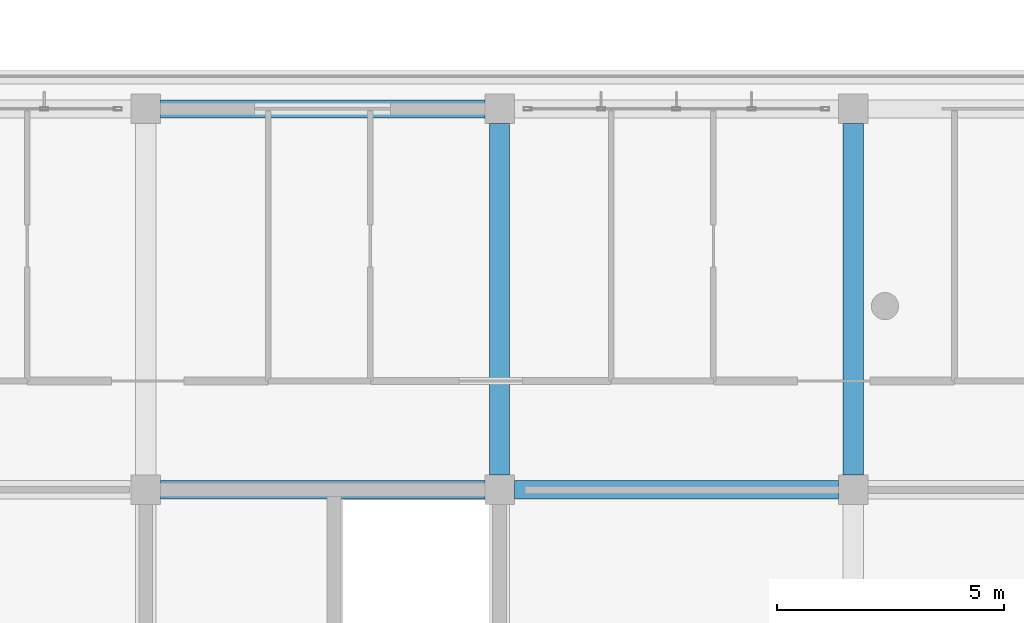
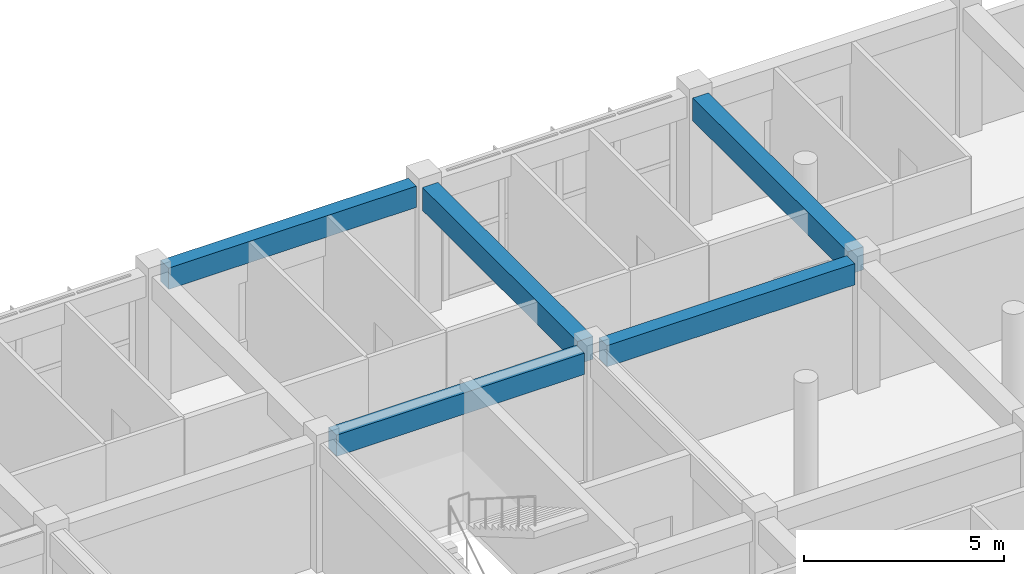
# One storey, part 27 of 63: 5 beams.
"""IFC4 building model written with IfcOpenShell, lengths in metres."""

from ifc_helpers import new_model, si_unit, direction, frame, origin, origin_2d, place, context, subcontext, project, spatial, rectangle, extrude, material, material_profile, profile_set, type_object, element, save


model = new_model("IFC4")

# Units and contexts
model_context = context("Model", 3, precision=1e-05, world=origin(), true_north=direction((0.0, 1.0)))
body_context = subcontext(model_context, "Body", "Model", "MODEL_VIEW")
ifc_project = project(units=[si_unit("LENGTHUNIT", "METRE"), si_unit("AREAUNIT", "SQUARE_METRE"), si_unit("VOLUMEUNIT", "CUBIC_METRE"), si_unit("PLANEANGLEUNIT", "RADIAN"), si_unit("MASSUNIT", "GRAM", prefix="KILO")], contexts=[model_context])

# Site, building, storey
site_placement = place(None, origin())
site = spatial("IfcSite", under=ifc_project, at=site_placement, CompositionType="ELEMENT")
building_placement = place(site_placement, origin())
building = spatial("IfcBuilding", under=site, at=building_placement, Name="Zizhar Promenade General Hospital", CompositionType="ELEMENT")
storey_placement = place(building_placement, frame((0.0, 0.0, 18.0)))
storey = spatial("IfcBuildingStorey", under=building, at=storey_placement, Name="L04", CompositionType="ELEMENT", Elevation=18.0)

# Beams
ifc_material_1 = material(Name="Concrete C35/45", Category="concrete")
ifc_material_profile_1 = material_profile(ifc_material_1, rectangle(XDim=0.39990234375, YDim=0.64990234375, at=origin_2d()))
ifc_profile_set_1 = profile_set([ifc_material_profile_1], Name="Concrete C35/45")
beam_type_1 = type_object("IfcBeamType", Name="BM-RC-400x650", PredefinedType="BEAM", material=ifc_profile_set_1)
for number, where, z_axis, x_axis, name in (
    (1, (93.925048828125, 16.800048828125, 3.5849609375), (1.0, 0.0, 0.0), (0.0, 1.0, 0.0), "Grid Beam X L04 (12-2)"),
    (2, (93.925048828125, 25.199951171875, 3.5849609375), (1.0, 0.0, 0.0), (0.0, 1.0, 0.0), "Grid Beam X L04 (12-3)"),
    (3, (101.72509765625, 16.800048828125, 3.5849609375), (1.0, 0.0, 0.0), (0.0, 1.0, 0.0), "Grid Beam X L04 (13-2)"),
):
    element("IfcBeam", number, at=place(storey_placement, frame(where, z_axis=z_axis, x_axis=x_axis)), inside=storey, type_object=beam_type_1, Name=name, PredefinedType="BEAM", context=body_context, shape_type="SweptSolid", body=[
        extrude(rectangle(XDim=0.39990234375, YDim=0.64990234375, at=origin_2d()), origin(), (0.0, 0.0, 1.0), 7.14990234375),
    ])
ifc_material_2 = material(Name="Concrete C35/45", Category="concrete")
ifc_material_profile_2 = material_profile(ifc_material_2, rectangle(XDim=0.449951171875, YDim=0.699951171875, at=origin_2d()))
ifc_profile_set_2 = profile_set([ifc_material_profile_2], Name="Concrete C35/45")
beam_type_2 = type_object("IfcBeamType", Name="BM-RC-450x700", PredefinedType="BEAM", material=ifc_profile_set_2)
for number, where, z_axis, x_axis, name in (
    (4, (101.39990234375, 17.125, 3.56005859375), (0.0, 1.0, 0.0), (-1.0, 0.0, 0.0), "Grid Beam Y L04 (13-2)"),
    (5, (109.199951171875, 17.125, 3.56005859375), (0.0, 1.0, 0.0), (-1.0, 0.0, 0.0), "Grid Beam Y L04 (14-2)"),
):
    element("IfcBeam", number, at=place(storey_placement, frame(where, z_axis=z_axis, x_axis=x_axis)), inside=storey, type_object=beam_type_2, Name=name, PredefinedType="BEAM", context=body_context, shape_type="SweptSolid", body=[
        extrude(rectangle(XDim=0.449951171875, YDim=0.699951171875, at=origin_2d()), origin(), (0.0, 0.0, 1.0), 7.75),
    ])

save(model, "model.ifc")
